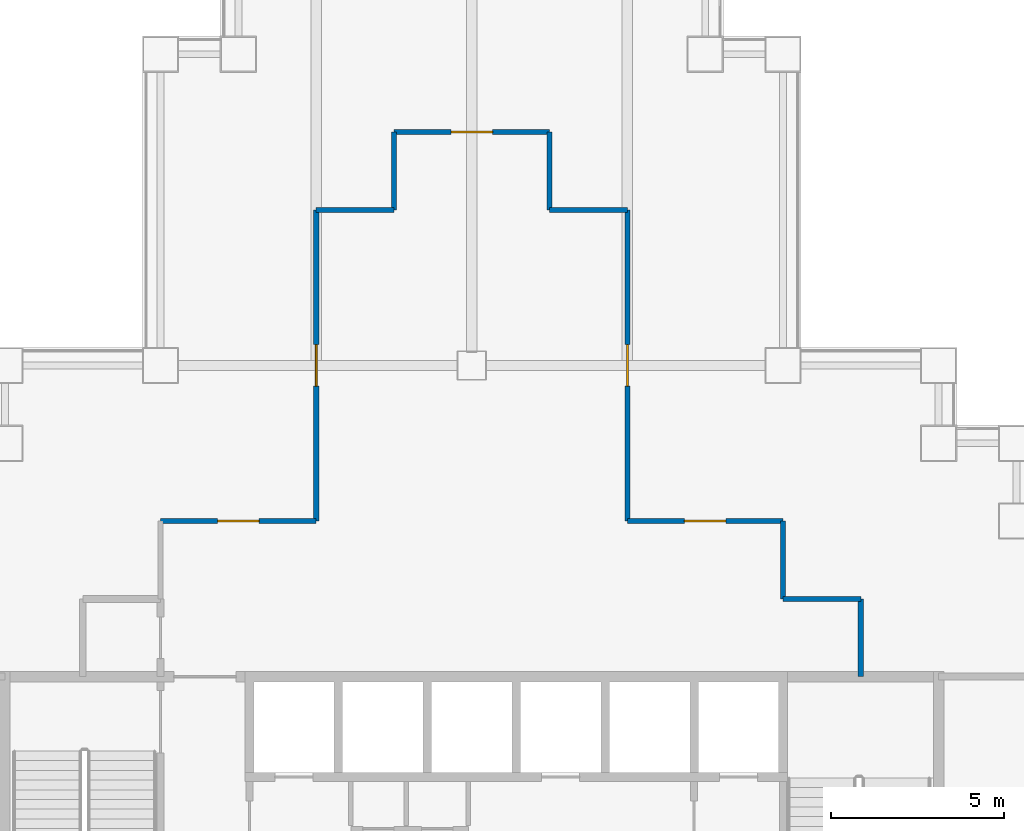
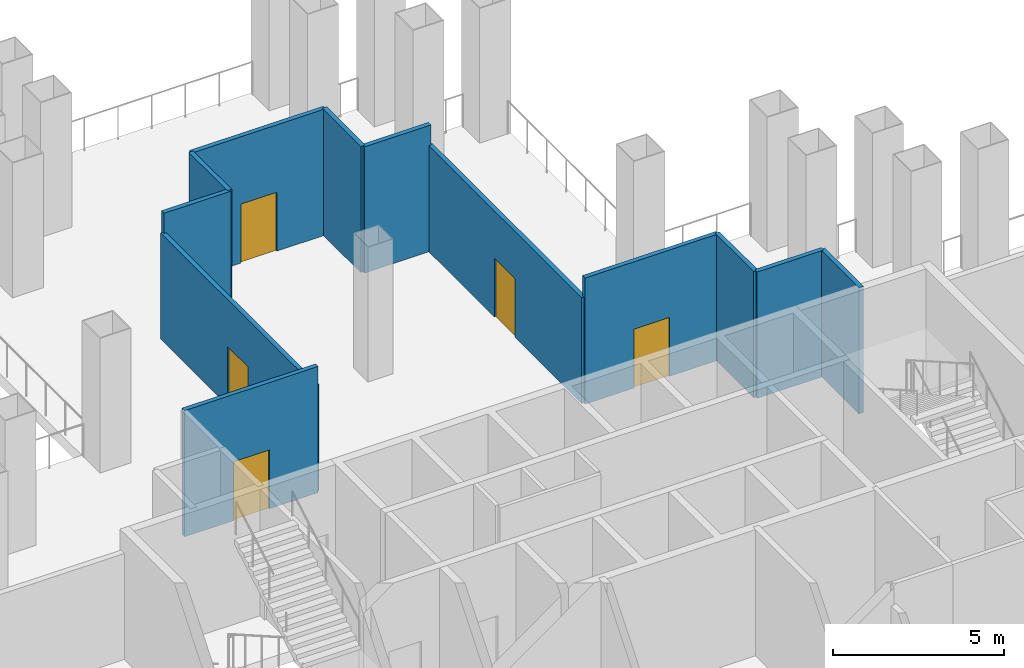
# One storey, part 4 of 10: 12 walls, 5 doors, 5 openings.
"""IFC4 building model written with IfcOpenShell, lengths in metres."""

from ifc_helpers import new_model, si_unit, direction, frame, frame_2d, origin, place, context, subcontext, project, spatial, rectangle, extrude, material, layer, layer_set, type_object, element, fill, save


model = new_model("IFC4")

# Units and contexts
model_context = context("Model", 3, precision=1e-05, world=origin(), true_north=direction((0.0, 1.0)))
body_context = subcontext(model_context, "Body", "Model", "MODEL_VIEW")
ifc_project = project(units=[si_unit("LENGTHUNIT", "METRE"), si_unit("AREAUNIT", "SQUARE_METRE"), si_unit("VOLUMEUNIT", "CUBIC_METRE"), si_unit("PLANEANGLEUNIT", "RADIAN"), si_unit("MASSUNIT", "GRAM", prefix="KILO")], contexts=[model_context])

# Site, building, storey
site_placement = place(None, origin())
site = spatial("IfcSite", under=ifc_project, at=site_placement, CompositionType="ELEMENT")
building_placement = place(site_placement, origin())
building = spatial("IfcBuilding", under=site, at=building_placement, Name="Caravel Reach Hotel and Residences", CompositionType="ELEMENT")
storey_placement = place(building_placement, frame((0.0, 0.0, 48.0)))
storey = spatial("IfcBuildingStorey", under=building, at=storey_placement, Name="L10", CompositionType="ELEMENT", Elevation=48.0)

# Wall
ifc_material_1 = material(Name="Gypsum board on steel stud, fire-rated", Category="steel")
ifc_layer = layer(ifc_material_1, 0.14990234375)
ifc_layer_set = layer_set([ifc_layer], Name="Corridor wall 150 mm EI 60")
wall_type = type_object("IfcWallType", Name="Corridor wall 150 mm EI 60", PredefinedType="PARTITIONING", material=ifc_layer_set)
wall_1_placement = place(storey_placement, frame((40.5, 33.75, 0.0), z_axis=(0.0, 0.0, 1.0), x_axis=(1.0, 0.0, 0.0)))
element("IfcWall", 1, at=wall_1_placement, inside=storey, type_object=wall_type, Name="L10 wall w004", PredefinedType="PARTITIONING", context=body_context, shape_type="SweptSolid", body=[
    extrude(rectangle(XDim=2.25, YDim=0.14990234375, at=frame_2d((1.125, 0.0))), origin(), (0.0, 0.0, 1.0), 4.5),
])

# Wall, opening, door
wall_2_placement = place(storey_placement, frame((22.5, 36.0, 0.0), z_axis=(0.0, 0.0, 1.0), x_axis=(1.0, 0.0, 0.0)))
wall_2 = element("IfcWall", 2, at=wall_2_placement, inside=storey, type_object=wall_type, Name="L10 wall w005", PredefinedType="PARTITIONING", context=body_context, shape_type="SweptSolid", body=[
    extrude(rectangle(XDim=4.5, YDim=0.14990234375, at=frame_2d((2.25, 0.0))), origin(), (0.0, 0.0, 1.0), 4.5),
])
opening_1_placement = place(wall_2_placement, frame((1.64990234375, 0.0, 0.0)))
opening_1 = element("IfcOpeningElement", 3, at=opening_1_placement, cuts=wall_2, Name="Opening D10-024", PredefinedType="OPENING", context=body_context, shape_type="SweptSolid", body=[
    extrude(rectangle(XDim=1.199951171875, YDim=2.10009765625, at=frame_2d((0.60009765625, 1.050048828125))), frame((0.0, 0.0849609375, 0.0), z_axis=(0.0, -1.0, 0.0), x_axis=(1.0, 0.0, 0.0)), (0.0, 0.0, 1.0), 0.169921875),
])
ifc_material_2 = material(Name="Steel fire door leaf", Category="steel")
door_type = type_object("IfcDoorType", Name="Refuge hall door 1200 x 2100 EI 60", OperationType="SINGLE_SWING_LEFT", PredefinedType="DOOR", material=ifc_material_2)
door_1_placement = place(opening_1_placement, origin())
door_1 = element("IfcDoor", 4, at=door_1_placement, inside=storey, type_object=door_type, Name="door D10-024", OperationType="SINGLE_SWING_RIGHT", OverallHeight=2.10009765625, OverallWidth=1.199951171875, PredefinedType="DOOR", context=body_context, shape_type="SweptSolid", body=[
    extrude(rectangle(XDim=1.199951171875, YDim=2.10009765625, at=frame_2d((0.60009765625, 1.050048828125))), frame((0.0, 0.02490234375, 0.0), z_axis=(0.0, -1.0, 0.0), x_axis=(1.0, 0.0, 0.0)), (0.0, 0.0, 1.0), 0.050048828125),
])
fill(opening_1, door_1)

wall_3_placement = place(storey_placement, frame((36.0, 36.0, 0.0), z_axis=(0.0, 0.0, 1.0), x_axis=(1.0, 0.0, 0.0)))
wall_3 = element("IfcWall", 5, at=wall_3_placement, inside=storey, type_object=wall_type, Name="L10 wall w006", PredefinedType="PARTITIONING", context=body_context, shape_type="SweptSolid", body=[
    extrude(rectangle(XDim=4.5, YDim=0.14990234375, at=frame_2d((2.25, 0.0))), origin(), (0.0, 0.0, 1.0), 4.5),
])
opening_2_placement = place(wall_3_placement, frame((1.64990234375, 0.0, 0.0)))
opening_2 = element("IfcOpeningElement", 6, at=opening_2_placement, cuts=wall_3, Name="Opening D10-025", PredefinedType="OPENING", context=body_context, shape_type="SweptSolid", body=[
    extrude(rectangle(XDim=1.199951171875, YDim=2.10009765625, at=frame_2d((0.60009765625, 1.050048828125))), frame((0.0, 0.0849609375, 0.0), z_axis=(0.0, -1.0, 0.0), x_axis=(1.0, 0.0, 0.0)), (0.0, 0.0, 1.0), 0.169921875),
])
door_2_placement = place(opening_2_placement, origin())
door_2 = element("IfcDoor", 7, at=door_2_placement, inside=storey, type_object=door_type, Name="door D10-025", OperationType="SINGLE_SWING_LEFT", OverallHeight=2.10009765625, OverallWidth=1.199951171875, PredefinedType="DOOR", context=body_context, shape_type="SweptSolid", body=[
    extrude(rectangle(XDim=1.199951171875, YDim=2.10009765625, at=frame_2d((0.60009765625, 1.050048828125))), frame((0.0, 0.02490234375, 0.0), z_axis=(0.0, -1.0, 0.0), x_axis=(1.0, 0.0, 0.0)), (0.0, 0.0, 1.0), 0.050048828125),
])
fill(opening_2, door_2)

# Walls
for number, where, z_axis, x_axis, name in (
    (8, (27.0, 45.0, 0.0), (0.0, 0.0, 1.0), (1.0, 0.0, 0.0), "L10 wall w007"),
    (9, (33.75, 45.0, 0.0), (0.0, 0.0, 1.0), (1.0, 0.0, 0.0), "L10 wall w008"),
):
    element("IfcWall", number, at=place(storey_placement, frame(where, z_axis=z_axis, x_axis=x_axis)), inside=storey, type_object=wall_type, Name=name, PredefinedType="PARTITIONING", context=body_context, shape_type="SweptSolid", body=[
        extrude(rectangle(XDim=2.25, YDim=0.14990234375, at=frame_2d((1.125, 0.0))), origin(), (0.0, 0.0, 1.0), 4.5),
    ])

# Wall, opening, door
wall_4_placement = place(storey_placement, frame((29.25, 47.25, 0.0), z_axis=(0.0, 0.0, 1.0), x_axis=(1.0, 0.0, 0.0)))
wall_4 = element("IfcWall", 10, at=wall_4_placement, inside=storey, type_object=wall_type, Name="L10 wall w009", PredefinedType="PARTITIONING", context=body_context, shape_type="SweptSolid", body=[
    extrude(rectangle(XDim=4.5, YDim=0.14990234375, at=frame_2d((2.25, 0.0))), origin(), (0.0, 0.0, 1.0), 4.5),
])
opening_3_placement = place(wall_4_placement, frame((1.64990234375, 0.0, 0.0)))
opening_3 = element("IfcOpeningElement", 11, at=opening_3_placement, cuts=wall_4, Name="Opening D10-026", PredefinedType="OPENING", context=body_context, shape_type="SweptSolid", body=[
    extrude(rectangle(XDim=1.199951171875, YDim=2.10009765625, at=frame_2d((0.60009765625, 1.050048828125))), frame((0.0, 0.0849609375, 0.0), z_axis=(0.0, -1.0, 0.0), x_axis=(1.0, 0.0, 0.0)), (0.0, 0.0, 1.0), 0.169921875),
])
door_3_placement = place(opening_3_placement, origin())
door_3 = element("IfcDoor", 12, at=door_3_placement, inside=storey, type_object=door_type, Name="door D10-026", OperationType="SINGLE_SWING_RIGHT", OverallHeight=2.10009765625, OverallWidth=1.199951171875, PredefinedType="DOOR", context=body_context, shape_type="SweptSolid", body=[
    extrude(rectangle(XDim=1.199951171875, YDim=2.10009765625, at=frame_2d((0.60009765625, 1.050048828125))), frame((0.0, 0.02490234375, 0.0), z_axis=(0.0, -1.0, 0.0), x_axis=(1.0, 0.0, 0.0)), (0.0, 0.0, 1.0), 0.050048828125),
])
fill(opening_3, door_3)

wall_5_placement = place(storey_placement, frame((27.0, 36.0, 0.0), z_axis=(0.0, 0.0, 1.0), x_axis=(0.0, 1.0, 0.0)))
wall_5 = element("IfcWall", 13, at=wall_5_placement, inside=storey, type_object=wall_type, Name="L10 wall w011", PredefinedType="PARTITIONING", context=body_context, shape_type="SweptSolid", body=[
    extrude(rectangle(XDim=9.0, YDim=0.14990234375, at=frame_2d((4.5, 0.0))), origin(), (0.0, 0.0, 1.0), 3.780029296875),
])
opening_4_placement = place(wall_5_placement, frame((3.89990234375, 0.0, 0.0)))
opening_4 = element("IfcOpeningElement", 14, at=opening_4_placement, cuts=wall_5, Name="Opening D10-022", PredefinedType="OPENING", context=body_context, shape_type="SweptSolid", body=[
    extrude(rectangle(XDim=1.199951171875, YDim=2.10009765625, at=frame_2d((0.60009765625, 1.050048828125))), frame((0.0, 0.0849609375, 0.0), z_axis=(0.0, -1.0, 0.0), x_axis=(1.0, 0.0, 0.0)), (0.0, 0.0, 1.0), 0.169921875),
])
door_4_placement = place(opening_4_placement, origin())
door_4 = element("IfcDoor", 15, at=door_4_placement, inside=storey, type_object=door_type, Name="door D10-022", OperationType="SINGLE_SWING_RIGHT", OverallHeight=2.10009765625, OverallWidth=1.199951171875, PredefinedType="DOOR", context=body_context, shape_type="SweptSolid", body=[
    extrude(rectangle(XDim=1.199951171875, YDim=2.10009765625, at=frame_2d((0.60009765625, 1.050048828125))), frame((0.0, 0.02490234375, 0.0), z_axis=(0.0, -1.0, 0.0), x_axis=(1.0, 0.0, 0.0)), (0.0, 0.0, 1.0), 0.050048828125),
])
fill(opening_4, door_4)

# Walls
for number, where, z_axis, x_axis, name in (
    (16, (29.25, 45.0, 0.0), (0.0, 0.0, 1.0), (0.0, 1.0, 0.0), "L10 wall w012"),
    (17, (33.75, 45.0, 0.0), (0.0, 0.0, 1.0), (0.0, 1.0, 0.0), "L10 wall w013"),
):
    element("IfcWall", number, at=place(storey_placement, frame(where, z_axis=z_axis, x_axis=x_axis)), inside=storey, type_object=wall_type, Name=name, PredefinedType="PARTITIONING", context=body_context, shape_type="SweptSolid", body=[
        extrude(rectangle(XDim=2.25, YDim=0.14990234375, at=frame_2d((1.125, 0.0))), origin(), (0.0, 0.0, 1.0), 4.5),
    ])

# Wall, opening, door
wall_6_placement = place(storey_placement, frame((36.0, 36.0, 0.0), z_axis=(0.0, 0.0, 1.0), x_axis=(0.0, 1.0, 0.0)))
wall_6 = element("IfcWall", 18, at=wall_6_placement, inside=storey, type_object=wall_type, Name="L10 wall w014", PredefinedType="PARTITIONING", context=body_context, shape_type="SweptSolid", body=[
    extrude(rectangle(XDim=9.0, YDim=0.14990234375, at=frame_2d((4.5, 0.0))), origin(), (0.0, 0.0, 1.0), 3.780029296875),
])
opening_5_placement = place(wall_6_placement, frame((3.89990234375, 0.0, 0.0)))
opening_5 = element("IfcOpeningElement", 19, at=opening_5_placement, cuts=wall_6, Name="Opening D10-023", PredefinedType="OPENING", context=body_context, shape_type="SweptSolid", body=[
    extrude(rectangle(XDim=1.199951171875, YDim=2.10009765625, at=frame_2d((0.60009765625, 1.050048828125))), frame((0.0, 0.0849609375, 0.0), z_axis=(0.0, -1.0, 0.0), x_axis=(1.0, 0.0, 0.0)), (0.0, 0.0, 1.0), 0.169921875),
])
door_5_placement = place(opening_5_placement, origin())
door_5 = element("IfcDoor", 20, at=door_5_placement, inside=storey, type_object=door_type, Name="door D10-023", OperationType="SINGLE_SWING_RIGHT", OverallHeight=2.10009765625, OverallWidth=1.199951171875, PredefinedType="DOOR", context=body_context, shape_type="SweptSolid", body=[
    extrude(rectangle(XDim=1.199951171875, YDim=2.10009765625, at=frame_2d((0.60009765625, 1.050048828125))), frame((0.0, 0.02490234375, 0.0), z_axis=(0.0, -1.0, 0.0), x_axis=(1.0, 0.0, 0.0)), (0.0, 0.0, 1.0), 0.050048828125),
])
fill(opening_5, door_5)

# Walls
for number, where, z_axis, x_axis, name in (
    (21, (40.5, 33.75, 0.0), (0.0, 0.0, 1.0), (0.0, 1.0, 0.0), "L10 wall w016"),
    (22, (42.75, 31.5, 0.0), (0.0, 0.0, 1.0), (0.0, 1.0, 0.0), "L10 wall w018"),
):
    element("IfcWall", number, at=place(storey_placement, frame(where, z_axis=z_axis, x_axis=x_axis)), inside=storey, type_object=wall_type, Name=name, PredefinedType="PARTITIONING", context=body_context, shape_type="SweptSolid", body=[
        extrude(rectangle(XDim=2.25, YDim=0.14990234375, at=frame_2d((1.125, 0.0))), origin(), (0.0, 0.0, 1.0), 4.5),
    ])

save(model, "model.ifc")
